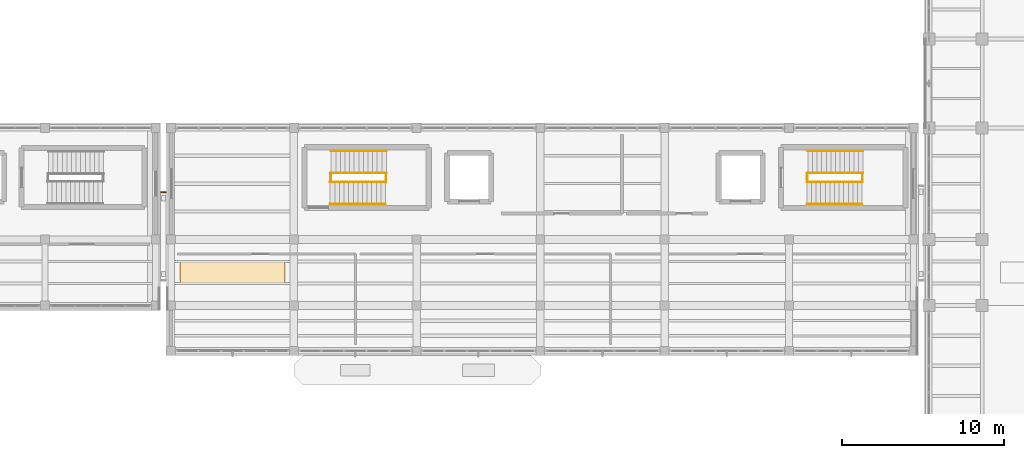
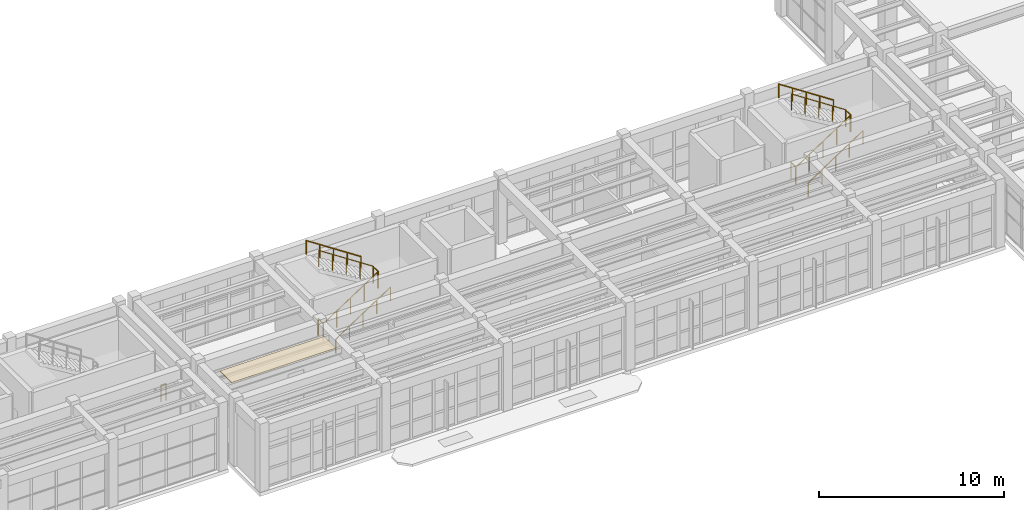
# One storey, part 79 of 85: 13 railings, 1 covering.
"""IFC4 building model written with IfcOpenShell, lengths in metres."""

from ifc_helpers import new_model, si_unit, direction, frame, origin, origin_2d, place, context, subcontext, project, spatial, rectangle, circle, extrude, material, layer, layer_set, type_object, element, save


model = new_model("IFC4")

# Units and contexts
model_context = context("Model", 3, precision=1e-05, world=origin(), true_north=direction((0.0, 1.0)))
body_context = subcontext(model_context, "Body", "Model", "MODEL_VIEW")
ifc_project = project(units=[si_unit("LENGTHUNIT", "METRE"), si_unit("AREAUNIT", "SQUARE_METRE"), si_unit("VOLUMEUNIT", "CUBIC_METRE"), si_unit("PLANEANGLEUNIT", "RADIAN"), si_unit("MASSUNIT", "GRAM", prefix="KILO")], contexts=[model_context])

# Site, building, storey
site_placement = place(None, origin())
site = spatial("IfcSite", under=ifc_project, at=site_placement, CompositionType="ELEMENT")
building_placement = place(site_placement, origin())
building = spatial("IfcBuilding", under=site, at=building_placement, Name="Candilejo Ridge Gondola Terminal", CompositionType="ELEMENT")
storey_placement = place(building_placement, frame((0.0, 0.0, 4.5)))
storey = spatial("IfcBuildingStorey", under=building, at=storey_placement, Name="L01", CompositionType="ELEMENT", Elevation=4.5)

# Covering
ifc_material_1 = material(Name="Perforated acoustic aluminium linear plank ceiling", Category="aluminium")
ifc_layer = layer(ifc_material_1, 0.044921875)
ifc_layer_set = layer_set([ifc_layer], Name="ARC-COV-CEILING-AC")
covering_type = type_object("IfcCoveringType", Name="ARC-COV-CEILING-AC", PredefinedType="CEILING", material=ifc_layer_set)
covering_placement = place(storey_placement, frame((90.800048828125, 27.75, 4.20556640625), z_axis=(0.0, 0.0, 1.0), x_axis=(1.0, 0.0, 0.0)))
element("IfcCovering", 1, at=covering_placement, inside=storey, type_object=covering_type, Name="Acoustic ceiling CL-V3-L01-A", PredefinedType="CEILING", context=body_context, shape_type="SweptSolid", body=[
    extrude(rectangle(XDim=6.5, YDim=1.300048828125, at=origin_2d()), origin(), (0.0, 0.0, 1.0), 0.044921875),
])

# Railings
ifc_material_2 = material(Name="Hot-dip galvanised steel ASTM A500 Grade B", Category="steel")
railing_type_1 = type_object("IfcRailingType", Name="ARC-GUARD-GLASS-1150", PredefinedType="GUARDRAIL", material=ifc_material_2)
railing_1_placement = place(storey_placement, frame((86.3701171875, 32.719970703125, 0.0)))
element("IfcRailing", 2, at=railing_1_placement, inside=storey, type_object=railing_type_1, Name="Link bridge guard LB-SJ2-L01-N", PredefinedType="GUARDRAIL", context=body_context, shape_type="SweptSolid", body=[
    extrude(circle(Radius=0.02392578125, at=origin_2d()), frame((0.0, 0.0, 1.076171875), z_axis=(1.0, 0.0, 0.0), x_axis=(0.0, 1.0, 0.0)), (0.0, 0.0, 1.0), 0.309814453125),
    extrude(circle(Radius=0.02099609375, at=origin_2d()), origin(), (0.0, 0.0, 1.0), 1.052001953125),
    extrude(circle(Radius=0.02099609375, at=origin_2d()), frame((0.309814453125, 0.0, 0.0)), (0.0, 0.0, 1.0), 1.052001953125),
])
ifc_material_3 = material(Name="Hot-dip galvanised steel ASTM A500 Grade B", Category="steel")
railing_type_2 = type_object("IfcRailingType", Name="ARC-STAIR-GUARD-1100", PredefinedType="GUARDRAIL", material=ifc_material_3)
railing_2_placement = place(storey_placement, frame((96.8798828125, 33.347412109375, 0.0)))
element("IfcRailing", 3, at=railing_2_placement, inside=storey, type_object=railing_type_2, Name="Arrival well guard ST-V3A-L00-ARR-L01", PredefinedType="GUARDRAIL", context=body_context, shape_type="SweptSolid", body=[
    extrude(circle(Radius=0.02392578125, at=origin_2d()), frame((0.0, 0.0, 1.076171875), z_axis=(0.0, 1.0, 0.0), x_axis=(-1.0, 0.0, 0.0)), (0.0, 0.0, 1.0), 0.55517578125),
    extrude(circle(Radius=0.02099609375, at=origin_2d()), origin(), (0.0, 0.0, 1.0), 1.052001953125),
    extrude(circle(Radius=0.02099609375, at=origin_2d()), frame((0.0, 0.55517578125, 0.0)), (0.0, 0.0, 1.0), 1.052001953125),
])
railing_3_placement = place(storey_placement, frame((96.85009765625, 33.347412109375, 0.0)))
element("IfcRailing", 4, at=railing_3_placement, inside=storey, type_object=railing_type_2, Name="Flight well guard ST-V3A-F03", PredefinedType="GUARDRAIL", context=body_context, shape_type="SweptSolid", body=[
    extrude(circle(Radius=0.02392578125, at=origin_2d()), frame((0.0, 0.0, 1.076171875), z_axis=(0.835411317272, 0.0, 0.549625264133), x_axis=(0.0, 1.0, 0.0)), (0.0, 0.0, 1.0), 4.09375),
    extrude(circle(Radius=0.02099609375, at=origin_2d()), origin(), (0.0, 0.0, 1.0), 1.052001953125),
    extrude(circle(Radius=0.02099609375, at=origin_2d()), frame((0.85498046875, 0.0, 0.5625)), (0.0, 0.0, 1.0), 1.052001953125),
    extrude(circle(Radius=0.02099609375, at=origin_2d()), frame((1.7099609375, 0.0, 1.125)), (0.0, 0.0, 1.0), 1.052001953125),
    extrude(circle(Radius=0.02099609375, at=origin_2d()), frame((2.56494140625, 0.0, 1.6875)), (0.0, 0.0, 1.0), 1.052001953125),
    extrude(circle(Radius=0.02099609375, at=origin_2d()), frame((3.419921875, 0.0, 2.25)), (0.0, 0.0, 1.0), 1.052001953125),
])
railing_4_placement = place(storey_placement, frame((100.300048828125, 33.347412109375, 2.25)))
element("IfcRailing", 5, at=railing_4_placement, inside=storey, type_object=railing_type_2, Name="Half-landing slot guard ST-V3A-LND-02", PredefinedType="GUARDRAIL", context=body_context, shape_type="SweptSolid", body=[
    extrude(circle(Radius=0.02392578125, at=origin_2d()), frame((0.0, 0.0, 1.076171875), z_axis=(0.0, 1.0, 0.0), x_axis=(-1.0, 0.0, 0.0)), (0.0, 0.0, 1.0), 0.55517578125),
    extrude(circle(Radius=0.02099609375, at=origin_2d()), origin(), (0.0, 0.0, 1.0), 1.052001953125),
    extrude(circle(Radius=0.02099609375, at=origin_2d()), frame((0.0, 0.55517578125, 0.0)), (0.0, 0.0, 1.0), 1.052001953125),
])
railing_5_placement = place(storey_placement, frame((100.330078125, 33.902587890625, 2.25)))
element("IfcRailing", 6, at=railing_5_placement, inside=storey, type_object=railing_type_2, Name="Flight well guard ST-V3A-F04", PredefinedType="GUARDRAIL", context=body_context, shape_type="SweptSolid", body=[
    extrude(circle(Radius=0.02392578125, at=origin_2d()), frame((0.0, 0.0, 1.076171875), z_axis=(-0.835429331894, 0.0, 0.549597881557), x_axis=(0.0, -1.0, 0.0)), (0.0, 0.0, 1.0), 4.093994140625),
    extrude(circle(Radius=0.02099609375, at=origin_2d()), origin(), (0.0, 0.0, 1.0), 1.052001953125),
    extrude(circle(Radius=0.02099609375, at=origin_2d()), frame((-0.85498046875, 0.0, 0.5625)), (0.0, 0.0, 1.0), 1.052001953125),
    extrude(circle(Radius=0.02099609375, at=origin_2d()), frame((-1.7099609375, 0.0, 1.125)), (0.0, 0.0, 1.0), 1.052001953125),
    extrude(circle(Radius=0.02099609375, at=origin_2d()), frame((-2.565185546875, 0.0, 1.6875)), (0.0, 0.0, 1.0), 1.052001953125),
    extrude(circle(Radius=0.02099609375, at=origin_2d()), frame((-3.420166015625, 0.0, 2.25)), (0.0, 0.0, 1.0), 1.052001953125),
])
railing_6_placement = place(storey_placement, frame((126.3798828125, 33.347412109375, 0.0)))
element("IfcRailing", 7, at=railing_6_placement, inside=storey, type_object=railing_type_2, Name="Arrival well guard ST-V3B-L00-ARR-L01", PredefinedType="GUARDRAIL", context=body_context, shape_type="SweptSolid", body=[
    extrude(circle(Radius=0.02392578125, at=origin_2d()), frame((0.0, 0.0, 1.076171875), z_axis=(0.0, 1.0, 0.0), x_axis=(-1.0, 0.0, 0.0)), (0.0, 0.0, 1.0), 0.55517578125),
    extrude(circle(Radius=0.02099609375, at=origin_2d()), origin(), (0.0, 0.0, 1.0), 1.052001953125),
    extrude(circle(Radius=0.02099609375, at=origin_2d()), frame((0.0, 0.55517578125, 0.0)), (0.0, 0.0, 1.0), 1.052001953125),
])
railing_7_placement = place(storey_placement, frame((126.35009765625, 33.347412109375, 0.0)))
element("IfcRailing", 8, at=railing_7_placement, inside=storey, type_object=railing_type_2, Name="Flight well guard ST-V3B-F03", PredefinedType="GUARDRAIL", context=body_context, shape_type="SweptSolid", body=[
    extrude(circle(Radius=0.02392578125, at=origin_2d()), frame((0.0, 0.0, 1.076171875), z_axis=(0.835411317272, 0.0, 0.549625264133), x_axis=(0.0, 1.0, 0.0)), (0.0, 0.0, 1.0), 4.09375),
    extrude(circle(Radius=0.02099609375, at=origin_2d()), origin(), (0.0, 0.0, 1.0), 1.052001953125),
    extrude(circle(Radius=0.02099609375, at=origin_2d()), frame((0.85498046875, 0.0, 0.5625)), (0.0, 0.0, 1.0), 1.052001953125),
    extrude(circle(Radius=0.02099609375, at=origin_2d()), frame((1.7099609375, 0.0, 1.125)), (0.0, 0.0, 1.0), 1.052001953125),
    extrude(circle(Radius=0.02099609375, at=origin_2d()), frame((2.56494140625, 0.0, 1.6875)), (0.0, 0.0, 1.0), 1.052001953125),
    extrude(circle(Radius=0.02099609375, at=origin_2d()), frame((3.419921875, 0.0, 2.25)), (0.0, 0.0, 1.0), 1.052001953125),
])
railing_8_placement = place(storey_placement, frame((129.800048828125, 33.347412109375, 2.25)))
element("IfcRailing", 9, at=railing_8_placement, inside=storey, type_object=railing_type_2, Name="Half-landing slot guard ST-V3B-LND-02", PredefinedType="GUARDRAIL", context=body_context, shape_type="SweptSolid", body=[
    extrude(circle(Radius=0.02392578125, at=origin_2d()), frame((0.0, 0.0, 1.076171875), z_axis=(0.0, 1.0, 0.0), x_axis=(-1.0, 0.0, 0.0)), (0.0, 0.0, 1.0), 0.55517578125),
    extrude(circle(Radius=0.02099609375, at=origin_2d()), origin(), (0.0, 0.0, 1.0), 1.052001953125),
    extrude(circle(Radius=0.02099609375, at=origin_2d()), frame((0.0, 0.55517578125, 0.0)), (0.0, 0.0, 1.0), 1.052001953125),
])
railing_9_placement = place(storey_placement, frame((129.830078125, 33.902587890625, 2.25)))
element("IfcRailing", 10, at=railing_9_placement, inside=storey, type_object=railing_type_2, Name="Flight well guard ST-V3B-F04", PredefinedType="GUARDRAIL", context=body_context, shape_type="SweptSolid", body=[
    extrude(circle(Radius=0.02392578125, at=origin_2d()), frame((0.0, 0.0, 1.076171875), z_axis=(-0.835429331894, 0.0, 0.549597881557), x_axis=(0.0, -1.0, 0.0)), (0.0, 0.0, 1.0), 4.093994140625),
    extrude(circle(Radius=0.02099609375, at=origin_2d()), origin(), (0.0, 0.0, 1.0), 1.052001953125),
    extrude(circle(Radius=0.02099609375, at=origin_2d()), frame((-0.85498046875, 0.0, 0.5625)), (0.0, 0.0, 1.0), 1.052001953125),
    extrude(circle(Radius=0.02099609375, at=origin_2d()), frame((-1.7099609375, 0.0, 1.125)), (0.0, 0.0, 1.0), 1.052001953125),
    extrude(circle(Radius=0.02099609375, at=origin_2d()), frame((-2.565185546875, 0.0, 1.6875)), (0.0, 0.0, 1.0), 1.052001953125),
    extrude(circle(Radius=0.02099609375, at=origin_2d()), frame((-3.420166015625, 0.0, 2.25)), (0.0, 0.0, 1.0), 1.052001953125),
])
ifc_material_4 = material(Name="Brushed stainless steel AISI 316", Category="steel")
railing_type_3 = type_object("IfcRailingType", Name="ARC-STAIR-HANDRAIL-920", PredefinedType="HANDRAIL", material=ifc_material_4)
railing_10_placement = place(storey_placement, frame((96.85009765625, 31.9775390625, 0.0)))
element("IfcRailing", 11, at=railing_10_placement, inside=storey, type_object=railing_type_3, Name="Wall handrail ST-V3A-F03", PredefinedType="HANDRAIL", context=body_context, shape_type="SweptSolid", body=[
    extrude(circle(Radius=0.02392578125, at=origin_2d()), frame((0.0, 0.0, 0.89599609375), z_axis=(0.835411317272, 0.0, 0.549625264133), x_axis=(0.0, 1.0, 0.0)), (0.0, 0.0, 1.0), 4.09375),
    extrude(circle(Radius=0.02099609375, at=origin_2d()), origin(), (0.0, 0.0, 1.0), 0.871826171875),
    extrude(circle(Radius=0.02099609375, at=origin_2d()), frame((0.85498046875, 0.0, 0.5625)), (0.0, 0.0, 1.0), 0.871826171875),
    extrude(circle(Radius=0.02099609375, at=origin_2d()), frame((1.7099609375, 0.0, 1.125)), (0.0, 0.0, 1.0), 0.871826171875),
    extrude(circle(Radius=0.02099609375, at=origin_2d()), frame((2.56494140625, 0.0, 1.6875)), (0.0, 0.0, 1.0), 0.871826171875),
    extrude(circle(Radius=0.02099609375, at=origin_2d()), frame((3.419921875, 0.0, 2.25)), (0.0, 0.0, 1.0), 0.871826171875),
])
railing_11_placement = place(storey_placement, frame((100.330078125, 35.2724609375, 2.25)))
element("IfcRailing", 12, at=railing_11_placement, inside=storey, type_object=railing_type_3, Name="Wall handrail ST-V3A-F04", PredefinedType="HANDRAIL", context=body_context, shape_type="SweptSolid", body=[
    extrude(circle(Radius=0.02392578125, at=origin_2d()), frame((0.0, 0.0, 0.89599609375), z_axis=(-0.835429331894, 0.0, 0.549597881557), x_axis=(0.0, -1.0, 0.0)), (0.0, 0.0, 1.0), 4.093994140625),
    extrude(circle(Radius=0.02099609375, at=origin_2d()), origin(), (0.0, 0.0, 1.0), 0.871826171875),
    extrude(circle(Radius=0.02099609375, at=origin_2d()), frame((-0.85498046875, 0.0, 0.5625)), (0.0, 0.0, 1.0), 0.871826171875),
    extrude(circle(Radius=0.02099609375, at=origin_2d()), frame((-1.7099609375, 0.0, 1.125)), (0.0, 0.0, 1.0), 0.871826171875),
    extrude(circle(Radius=0.02099609375, at=origin_2d()), frame((-2.565185546875, 0.0, 1.6875)), (0.0, 0.0, 1.0), 0.871826171875),
    extrude(circle(Radius=0.02099609375, at=origin_2d()), frame((-3.420166015625, 0.0, 2.25)), (0.0, 0.0, 1.0), 0.871826171875),
])
railing_12_placement = place(storey_placement, frame((126.35009765625, 31.9775390625, 0.0)))
element("IfcRailing", 13, at=railing_12_placement, inside=storey, type_object=railing_type_3, Name="Wall handrail ST-V3B-F03", PredefinedType="HANDRAIL", context=body_context, shape_type="SweptSolid", body=[
    extrude(circle(Radius=0.02392578125, at=origin_2d()), frame((0.0, 0.0, 0.89599609375), z_axis=(0.835411317272, 0.0, 0.549625264133), x_axis=(0.0, 1.0, 0.0)), (0.0, 0.0, 1.0), 4.09375),
    extrude(circle(Radius=0.02099609375, at=origin_2d()), origin(), (0.0, 0.0, 1.0), 0.871826171875),
    extrude(circle(Radius=0.02099609375, at=origin_2d()), frame((0.85498046875, 0.0, 0.5625)), (0.0, 0.0, 1.0), 0.871826171875),
    extrude(circle(Radius=0.02099609375, at=origin_2d()), frame((1.7099609375, 0.0, 1.125)), (0.0, 0.0, 1.0), 0.871826171875),
    extrude(circle(Radius=0.02099609375, at=origin_2d()), frame((2.56494140625, 0.0, 1.6875)), (0.0, 0.0, 1.0), 0.871826171875),
    extrude(circle(Radius=0.02099609375, at=origin_2d()), frame((3.419921875, 0.0, 2.25)), (0.0, 0.0, 1.0), 0.871826171875),
])
railing_13_placement = place(storey_placement, frame((129.830078125, 35.2724609375, 2.25)))
element("IfcRailing", 14, at=railing_13_placement, inside=storey, type_object=railing_type_3, Name="Wall handrail ST-V3B-F04", PredefinedType="HANDRAIL", context=body_context, shape_type="SweptSolid", body=[
    extrude(circle(Radius=0.02392578125, at=origin_2d()), frame((0.0, 0.0, 0.89599609375), z_axis=(-0.835429331894, 0.0, 0.549597881557), x_axis=(0.0, -1.0, 0.0)), (0.0, 0.0, 1.0), 4.093994140625),
    extrude(circle(Radius=0.02099609375, at=origin_2d()), origin(), (0.0, 0.0, 1.0), 0.871826171875),
    extrude(circle(Radius=0.02099609375, at=origin_2d()), frame((-0.85498046875, 0.0, 0.5625)), (0.0, 0.0, 1.0), 0.871826171875),
    extrude(circle(Radius=0.02099609375, at=origin_2d()), frame((-1.7099609375, 0.0, 1.125)), (0.0, 0.0, 1.0), 0.871826171875),
    extrude(circle(Radius=0.02099609375, at=origin_2d()), frame((-2.565185546875, 0.0, 1.6875)), (0.0, 0.0, 1.0), 0.871826171875),
    extrude(circle(Radius=0.02099609375, at=origin_2d()), frame((-3.420166015625, 0.0, 2.25)), (0.0, 0.0, 1.0), 0.871826171875),
])

save(model, "model.ifc")
